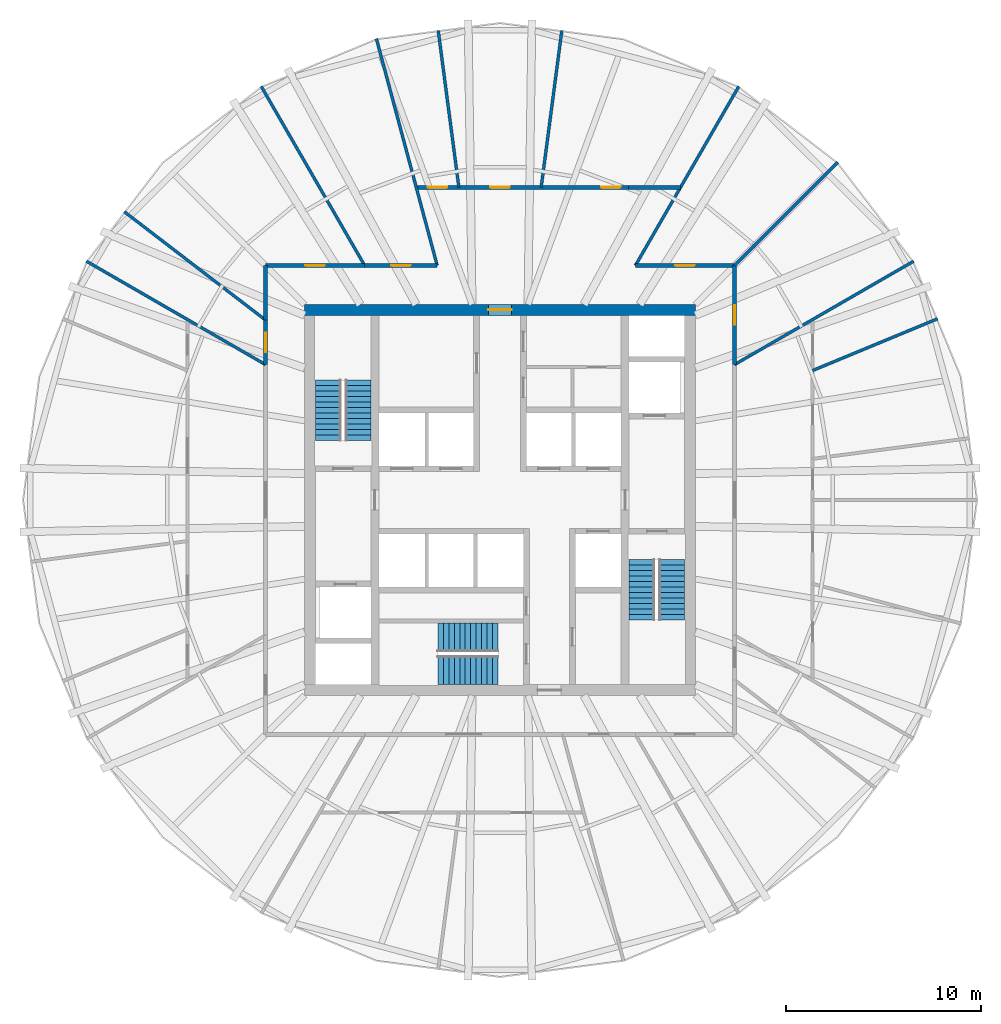
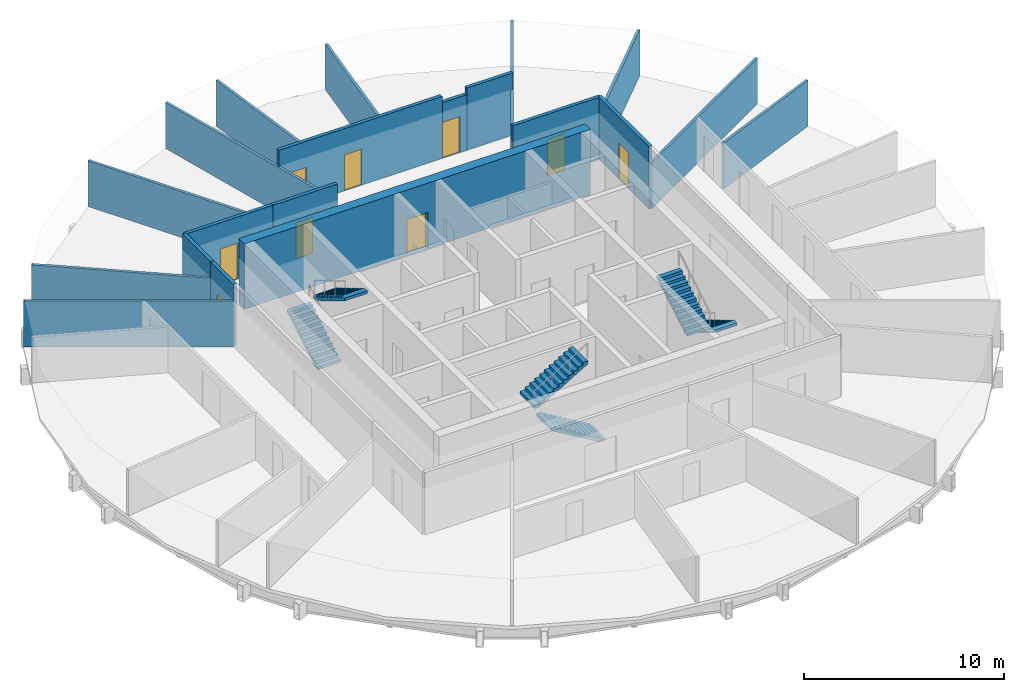
# One storey, part 5 of 6: 20 walls, 9 doors, 6 stair flights, 9 openings, 3 elements without a shape of their own.
"""IFC4 building model written with IfcOpenShell, lengths in metres."""

from ifc_helpers import new_model, si_unit, direction, frame, frame_2d, origin, place, context, subcontext, project, spatial, polyline, rectangle, outline, extrude, material, layer, layer_set, type_object, element, fill, aggregate, save


model = new_model("IFC4")

# Units and contexts
model_context = context("Model", 3, precision=1e-05, world=origin(), true_north=direction((0.0, 1.0)))
body_context = subcontext(model_context, "Body", "Model", "MODEL_VIEW")
ifc_project = project(units=[si_unit("LENGTHUNIT", "METRE"), si_unit("AREAUNIT", "SQUARE_METRE"), si_unit("VOLUMEUNIT", "CUBIC_METRE"), si_unit("PLANEANGLEUNIT", "RADIAN"), si_unit("MASSUNIT", "GRAM", prefix="KILO")], contexts=[model_context])

# Site, building, storey
site_placement = place(None, origin())
site = spatial("IfcSite", under=ifc_project, at=site_placement, CompositionType="ELEMENT")
building_placement = place(site_placement, origin())
building = spatial("IfcBuilding", under=site, at=building_placement, Name="Golbaran Civic Tower", CompositionType="ELEMENT")
storey_placement = place(building_placement, frame((0.0, 0.0, 122.0)))
storey = spatial("IfcBuildingStorey", under=building, at=storey_placement, Name="L29", CompositionType="ELEMENT", Elevation=122.0)

# Wall, opening, door
ifc_material_1 = material(Name="Concrete C50/60", Category="concrete")
ifc_layer_1 = layer(ifc_material_1, 0.550048828125, Name="Concrete C50/60")
ifc_layer_set_1 = layer_set([ifc_layer_1], Name="Concrete C50/60")
wall_type_1 = type_object("IfcWallType", Name="CORE WALL CONCRETE 550", PredefinedType="SOLIDWALL", material=ifc_layer_set_1)
wall_1_placement = place(storey_placement, frame((-10.0, 9.72509765625, 0.0), z_axis=(0.0, 0.0, 1.0), x_axis=(1.0, 0.0, 0.0)))
wall_1 = element("IfcWall", 1, at=wall_1_placement, inside=storey, type_object=wall_type_1, Name="Core wall CN L29", PredefinedType="SOLIDWALL", context=body_context, shape_type="SweptSolid", body=[
    extrude(rectangle(XDim=20.0, YDim=0.550048828125, at=frame_2d((10.0, 0.0))), origin(), (0.0, 0.0, 1.0), 4.0),
])
opening_1_placement = place(wall_1_placement, frame((9.39990234375, 0.0, 0.0)))
opening_1 = element("IfcOpeningElement", 2, at=opening_1_placement, cuts=wall_1, Name="Opening L29.CN", PredefinedType="OPENING", context=body_context, shape_type="SweptSolid", body=[
    extrude(rectangle(XDim=1.199951171875, YDim=2.199951171875, at=frame_2d((0.60009765625, 1.10009765625))), frame((0.0, 0.284912109375, 0.0), z_axis=(0.0, -1.0, 0.0), x_axis=(1.0, 0.0, 0.0)), (0.0, 0.0, 1.0), 0.570068359375),
])
ifc_material_2 = material(Name="Timber door set in steel frame", Category="steel")
door_type_1 = type_object("IfcDoorType", Name="CORE DOOR 1200x2200", OperationType="DOUBLE_DOOR_SINGLE_SWING", PredefinedType="DOOR", material=ifc_material_2)
door_1_placement = place(opening_1_placement, origin())
door_1 = element("IfcDoor", 3, at=door_1_placement, inside=storey, type_object=door_type_1, Name="Core door north", OperationType="DOUBLE_DOOR_SINGLE_SWING", OverallHeight=2.199951171875, OverallWidth=1.199951171875, PredefinedType="DOOR", context=body_context, shape_type="SweptSolid", body=[
    extrude(rectangle(XDim=1.199951171875, YDim=2.199951171875, at=frame_2d((0.60009765625, 1.10009765625))), frame((0.0, 0.02490234375, 0.0), z_axis=(0.0, -1.0, 0.0), x_axis=(1.0, 0.0, 0.0)), (0.0, 0.0, 1.0), 0.050048828125),
])
fill(opening_1, door_1)

ifc_material_3 = material(Name="Gypsum board on steel studs, fire-rated", Category="steel")
ifc_layer_2 = layer(ifc_material_3, 0.199951171875, Name="Gypsum board on steel studs, fire-rated")
ifc_layer_set_2 = layer_set([ifc_layer_2], Name="Gypsum board on steel studs, fire-rated")
wall_type_2 = type_object("IfcWallType", Name="CORRIDOR WALL 200", PredefinedType="PARTITIONING", material=ifc_layer_set_2)
wall_2_placement = place(storey_placement, frame((12.0, 6.92822265625, 0.0), z_axis=(0.0, 0.0, 1.0), x_axis=(0.0, 1.0, 0.0)))
wall_2 = element("IfcWall", 4, at=wall_2_placement, inside=storey, type_object=wall_type_2, Name="Corridor wall L29", PredefinedType="PARTITIONING", context=body_context, shape_type="SweptSolid", body=[
    extrude(rectangle(XDim=5.07177734375, YDim=0.199951171875, at=frame_2d((2.535888671875, 0.0))), origin(), (0.0, 0.0, 1.0), 3.800048828125),
])
opening_2_placement = place(wall_2_placement, frame((2.035888671875, 0.0, 0.0)))
opening_2 = element("IfcOpeningElement", 5, at=opening_2_placement, cuts=wall_2, Name="Opening L29.16", PredefinedType="OPENING", context=body_context, shape_type="SweptSolid", body=[
    extrude(rectangle(XDim=1.0, YDim=2.199951171875, at=frame_2d((0.5, 1.10009765625))), frame((0.0, 0.10986328125, 0.0), z_axis=(0.0, -1.0, 0.0), x_axis=(1.0, 0.0, 0.0)), (0.0, 0.0, 1.0), 0.219970703125),
])
door_type_2 = type_object("IfcDoorType", Name="OFFICE DOOR 1000x2200", OperationType="SINGLE_SWING_LEFT", PredefinedType="DOOR", material=ifc_material_2)
door_2_placement = place(opening_2_placement, origin())
door_2 = element("IfcDoor", 6, at=door_2_placement, inside=storey, type_object=door_type_2, Name="Prayer Room door L29", OperationType="SINGLE_SWING_LEFT", OverallHeight=2.199951171875, OverallWidth=1.0, PredefinedType="DOOR", context=body_context, shape_type="SweptSolid", body=[
    extrude(rectangle(XDim=1.0, YDim=2.199951171875, at=frame_2d((0.5, 1.10009765625))), frame((0.0, 0.02490234375, 0.0), z_axis=(0.0, -1.0, 0.0), x_axis=(1.0, 0.0, 0.0)), (0.0, 0.0, 1.0), 0.050048828125),
])
fill(opening_2, door_2)

wall_3_placement = place(storey_placement, frame((12.0, 12.0, 0.0), z_axis=(0.0, 0.0, 1.0), x_axis=(-1.0, 0.0, 0.0)))
wall_3 = element("IfcWall", 7, at=wall_3_placement, inside=storey, type_object=wall_type_2, Name="Corridor wall L29", PredefinedType="PARTITIONING", context=body_context, shape_type="SweptSolid", body=[
    extrude(rectangle(XDim=5.07177734375, YDim=0.199951171875, at=frame_2d((2.535888671875, 0.0))), origin(), (0.0, 0.0, 1.0), 3.800048828125),
])
opening_3_placement = place(wall_3_placement, frame((2.035888671875, 0.0, 0.0)))
opening_3 = element("IfcOpeningElement", 8, at=opening_3_placement, cuts=wall_3, Name="Opening L29.17", PredefinedType="OPENING", context=body_context, shape_type="SweptSolid", body=[
    extrude(rectangle(XDim=1.0, YDim=2.199951171875, at=frame_2d((0.5, 1.10009765625))), frame((0.0, 0.10986328125, 0.0), z_axis=(0.0, -1.0, 0.0), x_axis=(1.0, 0.0, 0.0)), (0.0, 0.0, 1.0), 0.219970703125),
])
door_3_placement = place(opening_3_placement, origin())
door_3 = element("IfcDoor", 9, at=door_3_placement, inside=storey, type_object=door_type_2, Name="Pantry door L29", OperationType="SINGLE_SWING_RIGHT", OverallHeight=2.199951171875, OverallWidth=1.0, PredefinedType="DOOR", context=body_context, shape_type="SweptSolid", body=[
    extrude(rectangle(XDim=1.0, YDim=2.199951171875, at=frame_2d((0.5, 1.10009765625))), frame((0.0, 0.02490234375, 0.0), z_axis=(0.0, -1.0, 0.0), x_axis=(1.0, 0.0, 0.0)), (0.0, 0.0, 1.0), 0.050048828125),
])
fill(opening_3, door_3)

wall_4_placement = place(storey_placement, frame((-3.21533203125, 12.0, 0.0), z_axis=(0.0, 0.0, 1.0), x_axis=(-1.0, 0.0, 0.0)))
wall_4 = element("IfcWall", 10, at=wall_4_placement, inside=storey, type_object=wall_type_2, Name="Corridor wall L29", PredefinedType="PARTITIONING", context=body_context, shape_type="SweptSolid", body=[
    extrude(rectangle(XDim=3.712890625, YDim=0.199951171875, at=frame_2d((1.8564453125, 0.0))), origin(), (0.0, 0.0, 1.0), 3.800048828125),
])
opening_4_placement = place(wall_4_placement, frame((1.3564453125, 0.0, 0.0)))
opening_4 = element("IfcOpeningElement", 11, at=opening_4_placement, cuts=wall_4, Name="Opening L29.18", PredefinedType="OPENING", context=body_context, shape_type="SweptSolid", body=[
    extrude(rectangle(XDim=1.0, YDim=2.199951171875, at=frame_2d((0.5, 1.10009765625))), frame((0.0, 0.10986328125, 0.0), z_axis=(0.0, -1.0, 0.0), x_axis=(1.0, 0.0, 0.0)), (0.0, 0.0, 1.0), 0.219970703125),
])
door_4_placement = place(opening_4_placement, origin())
door_4 = element("IfcDoor", 12, at=door_4_placement, inside=storey, type_object=door_type_2, Name="Meeting Room door L29", OperationType="SINGLE_SWING_RIGHT", OverallHeight=2.199951171875, OverallWidth=1.0, PredefinedType="DOOR", context=body_context, shape_type="SweptSolid", body=[
    extrude(rectangle(XDim=1.0, YDim=2.199951171875, at=frame_2d((0.5, 1.10009765625))), frame((0.0, 0.02490234375, 0.0), z_axis=(0.0, -1.0, 0.0), x_axis=(1.0, 0.0, 0.0)), (0.0, 0.0, 1.0), 0.050048828125),
])
fill(opening_4, door_4)

wall_5_placement = place(storey_placement, frame((-6.92822265625, 12.0, 0.0), z_axis=(0.0, 0.0, 1.0), x_axis=(-1.0, 0.0, 0.0)))
wall_5 = element("IfcWall", 13, at=wall_5_placement, inside=storey, type_object=wall_type_2, Name="Corridor wall L29", PredefinedType="PARTITIONING", context=body_context, shape_type="SweptSolid", body=[
    extrude(rectangle(XDim=5.07177734375, YDim=0.199951171875, at=frame_2d((2.535888671875, 0.0))), origin(), (0.0, 0.0, 1.0), 3.800048828125),
])
opening_5_placement = place(wall_5_placement, frame((2.035888671875, 0.0, 0.0)))
opening_5 = element("IfcOpeningElement", 14, at=opening_5_placement, cuts=wall_5, Name="Opening L29.19", PredefinedType="OPENING", context=body_context, shape_type="SweptSolid", body=[
    extrude(rectangle(XDim=1.0, YDim=2.199951171875, at=frame_2d((0.5, 1.10009765625))), frame((0.0, 0.10986328125, 0.0), z_axis=(0.0, -1.0, 0.0), x_axis=(1.0, 0.0, 0.0)), (0.0, 0.0, 1.0), 0.219970703125),
])
door_5_placement = place(opening_5_placement, origin())
door_5 = element("IfcDoor", 15, at=door_5_placement, inside=storey, type_object=door_type_2, Name="Meeting Room door L29", OperationType="SINGLE_SWING_RIGHT", OverallHeight=2.199951171875, OverallWidth=1.0, PredefinedType="DOOR", context=body_context, shape_type="SweptSolid", body=[
    extrude(rectangle(XDim=1.0, YDim=2.199951171875, at=frame_2d((0.5, 1.10009765625))), frame((0.0, 0.02490234375, 0.0), z_axis=(0.0, -1.0, 0.0), x_axis=(1.0, 0.0, 0.0)), (0.0, 0.0, 1.0), 0.050048828125),
])
fill(opening_5, door_5)

# Wall
wall_6_placement = place(storey_placement, frame((-12.0, 12.0, 0.0), z_axis=(0.0, 0.0, 1.0), x_axis=(0.0, -1.0, 0.0)))
element("IfcWall", 16, at=wall_6_placement, inside=storey, type_object=wall_type_2, Name="Corridor wall L29", PredefinedType="PARTITIONING", context=body_context, shape_type="SweptSolid", body=[
    extrude(rectangle(XDim=2.7919921875, YDim=0.199951171875, at=frame_2d((1.39599609375, 0.0))), origin(), (0.0, 0.0, 1.0), 3.800048828125),
])

# Wall, opening, door
wall_7_placement = place(storey_placement, frame((-12.0, 9.2080078125, 0.0), z_axis=(0.0, 0.0, 1.0), x_axis=(0.0, -1.0, 0.0)))
wall_7 = element("IfcWall", 17, at=wall_7_placement, inside=storey, type_object=wall_type_2, Name="Corridor wall L29", PredefinedType="PARTITIONING", context=body_context, shape_type="SweptSolid", body=[
    extrude(rectangle(XDim=2.27978515625, YDim=0.199951171875, at=frame_2d((1.139892578125, 0.0))), origin(), (0.0, 0.0, 1.0), 3.800048828125),
])
opening_6_placement = place(wall_7_placement, frame((0.639892578125, 0.0, 0.0)))
opening_6 = element("IfcOpeningElement", 18, at=opening_6_placement, cuts=wall_7, Name="Opening L29.20", PredefinedType="OPENING", context=body_context, shape_type="SweptSolid", body=[
    extrude(rectangle(XDim=1.0, YDim=2.199951171875, at=frame_2d((0.5, 1.10009765625))), frame((0.0, 0.10986328125, 0.0), z_axis=(0.0, -1.0, 0.0), x_axis=(1.0, 0.0, 0.0)), (0.0, 0.0, 1.0), 0.219970703125),
])
door_6_placement = place(opening_6_placement, origin())
door_6 = element("IfcDoor", 19, at=door_6_placement, inside=storey, type_object=door_type_2, Name="Print and Copy Room door L29", OperationType="SINGLE_SWING_RIGHT", OverallHeight=2.199951171875, OverallWidth=1.0, PredefinedType="DOOR", context=body_context, shape_type="SweptSolid", body=[
    extrude(rectangle(XDim=1.0, YDim=2.199951171875, at=frame_2d((0.5, 1.10009765625))), frame((0.0, 0.02490234375, 0.0), z_axis=(0.0, -1.0, 0.0), x_axis=(1.0, 0.0, 0.0)), (0.0, 0.0, 1.0), 0.050048828125),
])
fill(opening_6, door_6)

# Wall
ifc_material_4 = material(Name="Gypsum board on steel studs, fire-rated, glazed panels", Category="steel")
ifc_layer_3 = layer(ifc_material_4, 0.199951171875, Name="Gypsum board on steel studs, fire-rated, glazed panels")
ifc_layer_set_3 = layer_set([ifc_layer_3], Name="Gypsum board on steel studs, fire-rated, glazed panels")
wall_type_3 = type_object("IfcWallType", Name="GALLERY WALL 200", PredefinedType="PARTITIONING", material=ifc_layer_set_3)
wall_8_placement = place(storey_placement, frame((9.237548828125, 16.0, 0.0), z_axis=(0.0, 0.0, 1.0), x_axis=(-1.0, 0.0, 0.0)))
element("IfcWall", 20, at=wall_8_placement, inside=storey, type_object=wall_type_3, Name="Gallery wall L29", PredefinedType="PARTITIONING", context=body_context, shape_type="SweptSolid", body=[
    extrude(rectangle(XDim=2.659912109375, YDim=0.199951171875, at=frame_2d((1.330078125, 0.0))), origin(), (0.0, 0.0, 1.0), 3.800048828125),
])

# Wall, opening, door
wall_9_placement = place(storey_placement, frame((6.57763671875, 16.0, 0.0), z_axis=(0.0, 0.0, 1.0), x_axis=(-1.0, 0.0, 0.0)))
wall_9 = element("IfcWall", 21, at=wall_9_placement, inside=storey, type_object=wall_type_3, Name="Gallery wall L29 (part 2)", PredefinedType="PARTITIONING", context=body_context, shape_type="SweptSolid", body=[
    extrude(rectangle(XDim=1.425537109375, YDim=0.199951171875, at=frame_2d((0.712890625, 0.0))), origin(), (0.0, 0.0, 1.0), 3.39990234375),
])
opening_7_placement = place(wall_9_placement, frame((0.40576171875, 0.0, 0.0)))
opening_7 = element("IfcOpeningElement", 22, at=opening_7_placement, cuts=wall_9, Name="Opening L29.06", PredefinedType="OPENING", context=body_context, shape_type="SweptSolid", body=[
    extrude(rectangle(XDim=1.0, YDim=2.199951171875, at=frame_2d((0.5, 1.10009765625))), frame((0.0, 0.10986328125, 0.0), z_axis=(0.0, -1.0, 0.0), x_axis=(1.0, 0.0, 0.0)), (0.0, 0.0, 1.0), 0.219970703125),
])
door_7_placement = place(opening_7_placement, origin())
door_7 = element("IfcDoor", 23, at=door_7_placement, inside=storey, type_object=door_type_2, Name="Office door L29", OperationType="SINGLE_SWING_LEFT", OverallHeight=2.199951171875, OverallWidth=1.0, PredefinedType="DOOR", context=body_context, shape_type="SweptSolid", body=[
    extrude(rectangle(XDim=1.0, YDim=2.199951171875, at=frame_2d((0.5, 1.10009765625))), frame((0.0, 0.02490234375, 0.0), z_axis=(0.0, -1.0, 0.0), x_axis=(1.0, 0.0, 0.0)), (0.0, 0.0, 1.0), 0.050048828125),
])
fill(opening_7, door_7)

# Wall, openings, doors
wall_10_placement = place(storey_placement, frame((5.152099609375, 16.0, 0.0), z_axis=(0.0, 0.0, 1.0), x_axis=(-1.0, 0.0, 0.0)))
wall_10 = element("IfcWall", 24, at=wall_10_placement, inside=storey, type_object=wall_type_3, Name="Gallery wall L29 (part 3)", PredefinedType="PARTITIONING", context=body_context, shape_type="SweptSolid", body=[
    extrude(rectangle(XDim=9.439208984375, YDim=0.199951171875, at=frame_2d((4.7197265625, 0.0))), origin(), (0.0, 0.0, 1.0), 3.800048828125),
])
opening_8_placement = place(wall_10_placement, frame((4.652099609375, 0.0, 0.0)))
opening_8 = element("IfcOpeningElement", 25, at=opening_8_placement, cuts=wall_10, Name="Opening L29.07", PredefinedType="OPENING", context=body_context, shape_type="SweptSolid", body=[
    extrude(rectangle(XDim=1.0, YDim=2.199951171875, at=frame_2d((0.5, 1.10009765625))), frame((0.0, 0.10986328125, 0.0), z_axis=(0.0, -1.0, 0.0), x_axis=(1.0, 0.0, 0.0)), (0.0, 0.0, 1.0), 0.219970703125),
])
opening_9_placement = place(wall_10_placement, frame((7.848876953125, 0.0, 0.0)))
opening_9 = element("IfcOpeningElement", 26, at=opening_9_placement, cuts=wall_10, Name="Opening L29.08", PredefinedType="OPENING", context=body_context, shape_type="SweptSolid", body=[
    extrude(rectangle(XDim=1.0, YDim=2.199951171875, at=frame_2d((0.5, 1.10009765625))), frame((0.0, 0.10986328125, 0.0), z_axis=(0.0, -1.0, 0.0), x_axis=(1.0, 0.0, 0.0)), (0.0, 0.0, 1.0), 0.219970703125),
])
door_8_placement = place(opening_8_placement, origin())
door_8 = element("IfcDoor", 27, at=door_8_placement, inside=storey, type_object=door_type_2, Name="Office door L29", OperationType="SINGLE_SWING_RIGHT", OverallHeight=2.199951171875, OverallWidth=1.0, PredefinedType="DOOR", context=body_context, shape_type="SweptSolid", body=[
    extrude(rectangle(XDim=1.0, YDim=2.199951171875, at=frame_2d((0.5, 1.10009765625))), frame((0.0, 0.02490234375, 0.0), z_axis=(0.0, -1.0, 0.0), x_axis=(1.0, 0.0, 0.0)), (0.0, 0.0, 1.0), 0.050048828125),
])
fill(opening_8, door_8)
door_9_placement = place(opening_9_placement, origin())
door_9 = element("IfcDoor", 28, at=door_9_placement, inside=storey, type_object=door_type_2, Name="Director's Office door L29", OperationType="SINGLE_SWING_RIGHT", OverallHeight=2.199951171875, OverallWidth=1.0, PredefinedType="DOOR", context=body_context, shape_type="SweptSolid", body=[
    extrude(rectangle(XDim=1.0, YDim=2.199951171875, at=frame_2d((0.5, 1.10009765625))), frame((0.0, 0.02490234375, 0.0), z_axis=(0.0, -1.0, 0.0), x_axis=(1.0, 0.0, 0.0)), (0.0, 0.0, 1.0), 0.050048828125),
])
fill(opening_9, door_9)

# Walls
ifc_material_5 = material(Name="Gypsum board on steel studs", Category="steel")
ifc_layer_4 = layer(ifc_material_5, 0.14990234375, Name="Gypsum board on steel studs")
ifc_layer_set_4 = layer_set([ifc_layer_4], Name="Gypsum board on steel studs")
wall_type_4 = type_object("IfcWallType", Name="OFFICE PARTITION 150", PredefinedType="PARTITIONING", material=ifc_layer_set_4)
wall_11_placement = place(storey_placement, frame((12.0, 6.92822265625, 0.0), z_axis=(0.0, 0.0, 1.0), x_axis=(0.866023526577, 0.500003251404, 0.0)))
element("IfcWall", 29, at=wall_11_placement, inside=storey, type_object=wall_type_4, Name="Partition 30 L29", PredefinedType="PARTITIONING", context=body_context, shape_type="SweptSolid", body=[
    extrude(rectangle(XDim=10.5869140625, YDim=0.14990234375, at=frame_2d((5.29345703125, 0.0))), origin(), (0.0, 0.0, 1.0), 2.7900390625),
])
wall_12_placement = place(storey_placement, frame((12.0, 12.0, 0.0), z_axis=(0.0, 0.0, 1.0), x_axis=(0.707106781187, 0.707106781187, 0.0)))
element("IfcWall", 30, at=wall_12_placement, inside=storey, type_object=wall_type_4, Name="Partition 45 L29", PredefinedType="PARTITIONING", context=body_context, shape_type="SweptSolid", body=[
    extrude(rectangle(XDim=7.47265625, YDim=0.14990234375, at=frame_2d((3.736328125, 0.0))), origin(), (0.0, 0.0, 1.0), 2.7900390625),
])
wall_13_placement = place(storey_placement, frame((6.92822265625, 12.0, 0.0), z_axis=(0.0, 0.0, 1.0), x_axis=(0.500003251404, 0.866023526577, 0.0)))
element("IfcWall", 31, at=wall_13_placement, inside=storey, type_object=wall_type_4, Name="Partition 60 L29", PredefinedType="PARTITIONING", context=body_context, shape_type="SweptSolid", body=[
    extrude(rectangle(XDim=10.5869140625, YDim=0.14990234375, at=frame_2d((5.29345703125, 0.0))), origin(), (0.0, 0.0, 1.0), 2.7900390625),
])
wall_14_placement = place(storey_placement, frame((-3.21533203125, 12.0, 0.0), z_axis=(0.0, 0.0, 1.0), x_axis=(-0.258826780857, 0.965923753467, 0.0)))
element("IfcWall", 32, at=wall_14_placement, inside=storey, type_object=wall_type_4, Name="Partition 105 L29", PredefinedType="PARTITIONING", context=body_context, shape_type="SweptSolid", body=[
    extrude(rectangle(XDim=12.02001953125, YDim=0.14990234375, at=frame_2d((6.010009765625, 0.0))), origin(), (0.0, 0.0, 1.0), 2.7900390625),
])
wall_15_placement = place(storey_placement, frame((-6.92822265625, 12.0, 0.0), z_axis=(0.0, 0.0, 1.0), x_axis=(-0.500003251404, 0.866023526577, 0.0)))
element("IfcWall", 33, at=wall_15_placement, inside=storey, type_object=wall_type_4, Name="Partition 120 L29", PredefinedType="PARTITIONING", context=body_context, shape_type="SweptSolid", body=[
    extrude(rectangle(XDim=10.5869140625, YDim=0.14990234375, at=frame_2d((5.29345703125, 0.0))), origin(), (0.0, 0.0, 1.0), 2.7900390625),
])
wall_16_placement = place(storey_placement, frame((-12.0, 9.2080078125, 0.0), z_axis=(0.0, 0.0, 1.0), x_axis=(-0.793367728965, 0.608742676865, 0.0)))
element("IfcWall", 34, at=wall_16_placement, inside=storey, type_object=wall_type_4, Name="Partition 142.5 L29", PredefinedType="PARTITIONING", context=body_context, shape_type="SweptSolid", body=[
    extrude(rectangle(XDim=9.1083984375, YDim=0.14990234375, at=frame_2d((4.55419921875, 0.0))), origin(), (0.0, 0.0, 1.0), 2.7900390625),
])
wall_17_placement = place(storey_placement, frame((-12.0, 6.92822265625, 0.0), z_axis=(0.0, 0.0, 1.0), x_axis=(-0.866023526577, 0.500003251404, 0.0)))
element("IfcWall", 35, at=wall_17_placement, inside=storey, type_object=wall_type_4, Name="Partition 150 L29", PredefinedType="PARTITIONING", context=body_context, shape_type="SweptSolid", body=[
    extrude(rectangle(XDim=10.5869140625, YDim=0.14990234375, at=frame_2d((5.29345703125, 0.0))), origin(), (0.0, 0.0, 1.0), 2.7900390625),
])
wall_18_placement = place(storey_placement, frame((16.0, 6.62744140625, 0.0), z_axis=(0.0, 0.0, 1.0), x_axis=(0.923884314452, 0.382671887534, 0.0)))
element("IfcWall", 36, at=wall_18_placement, inside=storey, type_object=wall_type_4, Name="Partition 22.5 L29", PredefinedType="PARTITIONING", context=body_context, shape_type="SweptSolid", body=[
    extrude(rectangle(XDim=6.915771484375, YDim=0.14990234375, at=frame_2d((3.4580078125, 0.0))), origin(), (0.0, 0.0, 1.0), 2.7900390625),
])
for number, where, z_axis, x_axis, name in (
    (37, (2.1064453125, 16.0, 0.0), (0.0, 0.0, 1.0), (0.130512236494, 0.99144669858, 0.0), "Partition 82.5 L29"),
    (38, (-2.1064453125, 16.0, 0.0), (0.0, 0.0, 1.0), (-0.130512236494, 0.99144669858, 0.0), "Partition 97.5 L29"),
):
    element("IfcWall", number, at=place(storey_placement, frame(where, z_axis=z_axis, x_axis=x_axis)), inside=storey, type_object=wall_type_4, Name=name, PredefinedType="PARTITIONING", context=body_context, shape_type="SweptSolid", body=[
        extrude(rectangle(XDim=8.09619140625, YDim=0.14990234375, at=frame_2d((4.048095703125, 0.0))), origin(), (0.0, 0.0, 1.0), 2.7900390625),
    ])

# Stair, stair flights
ifc_material_6 = material(Name="Concrete C35/45", Category="concrete")
stair_type_1 = type_object("IfcStairType", Name="EXIT STAIR 2850 x 7700, 4000 RISE", PredefinedType="HALF_TURN_STAIR", material=ifc_material_6)
stair_1_placement = place(storey_placement, origin())
stair_1 = element("IfcStair", 39, at=stair_1_placement, inside=storey, type_object=stair_type_1, Name="Stair S1 L29", PredefinedType="HALF_TURN_STAIR")
stair_flight_type_1 = type_object("IfcStairFlightType", Name="STAIR FLIGHT 1325 WIDE", PredefinedType="STRAIGHT", material=ifc_material_6)
stair_flight_1_placement = place(storey_placement, frame((-8.78759765625, 3.050048828125, 0.0), z_axis=(0.0, 0.0, 1.0), x_axis=(0.0, 1.0, 0.0)))
stair_flight_1 = element("IfcStairFlight", 40, at=stair_flight_1_placement, type_object=stair_flight_type_1, Name="ST28577-40 flight 1", NumberOfRisers=12, NumberOfTreads=11, PredefinedType="STRAIGHT", RiserHeight=0.166666667, TreadLength=0.28, context=body_context, shape_type="SweptSolid", body=[
    extrude(outline(polyline([(0.0, 0.0), (0.0, 0.166748046875), (0.280029296875, 0.166748046875), (0.280029296875, 0.333251953125), (0.56005859375, 0.333251953125), (0.56005859375, 0.5), (0.840087890625, 0.5), (0.840087890625, 0.666748046875), (1.1201171875, 0.666748046875), (1.1201171875, 0.833251953125), (1.39990234375, 0.833251953125), (1.39990234375, 1.0), (1.679931640625, 1.0), (1.679931640625, 1.166748046875), (1.9599609375, 1.166748046875), (1.9599609375, 1.333251953125), (2.239990234375, 1.333251953125), (2.239990234375, 1.5), (2.52001953125, 1.5), (2.52001953125, 1.666748046875), (2.800048828125, 1.666748046875), (2.800048828125, 1.833251953125), (3.080078125, 1.833251953125), (3.080078125, 2.0), (3.080078125, 1.658935546875), (0.29296875, 0.0), (0.0, 0.0)])), frame((0.0, 0.66259765625, 0.0), z_axis=(0.0, -1.0, 0.0), x_axis=(1.0, 0.0, 0.0)), (0.0, 0.0, 1.0), 1.324951171875),
])
stair_flight_2_placement = place(storey_placement, frame((-7.262451171875, 6.1298828125, 2.0), z_axis=(0.0, 0.0, 1.0), x_axis=(0.0, -1.0, 0.0)))
stair_flight_2 = element("IfcStairFlight", 41, at=stair_flight_2_placement, type_object=stair_flight_type_1, Name="ST28577-40 flight 2", NumberOfRisers=12, NumberOfTreads=11, PredefinedType="STRAIGHT", RiserHeight=0.166666667, TreadLength=0.28, context=body_context, shape_type="SweptSolid", body=[
    extrude(outline(polyline([(0.0, 0.0), (0.0, 0.166748046875), (0.280029296875, 0.166748046875), (0.280029296875, 0.333251953125), (0.56005859375, 0.333251953125), (0.56005859375, 0.5), (0.840087890625, 0.5), (0.840087890625, 0.666748046875), (1.1201171875, 0.666748046875), (1.1201171875, 0.833251953125), (1.39990234375, 0.833251953125), (1.39990234375, 1.0), (1.679931640625, 1.0), (1.679931640625, 1.166748046875), (1.9599609375, 1.166748046875), (1.9599609375, 1.333251953125), (2.239990234375, 1.333251953125), (2.239990234375, 1.5), (2.52001953125, 1.5), (2.52001953125, 1.666748046875), (2.800048828125, 1.666748046875), (2.800048828125, 1.833251953125), (3.080078125, 1.833251953125), (3.080078125, 2.0), (3.080078125, 1.658935546875), (0.29296875, 0.0), (0.0, 0.0)])), frame((0.0, 0.66259765625, 0.0), z_axis=(0.0, -1.0, 0.0), x_axis=(1.0, 0.0, 0.0)), (0.0, 0.0, 1.0), 1.324951171875),
])
aggregate(stair_1, [stair_flight_1, stair_flight_2])

stair_2_placement = place(storey_placement, origin())
stair_2 = element("IfcStair", 42, at=stair_2_placement, inside=storey, type_object=stair_type_1, Name="Stair S2 L29", PredefinedType="HALF_TURN_STAIR")
stair_flight_3_placement = place(storey_placement, frame((8.78759765625, -3.050048828125, 0.0), z_axis=(0.0, 0.0, 1.0), x_axis=(0.0, -1.0, 0.0)))
stair_flight_3 = element("IfcStairFlight", 43, at=stair_flight_3_placement, type_object=stair_flight_type_1, Name="ST28577-40 flight 1", NumberOfRisers=12, NumberOfTreads=11, PredefinedType="STRAIGHT", RiserHeight=0.166666667, TreadLength=0.28, context=body_context, shape_type="SweptSolid", body=[
    extrude(outline(polyline([(0.0, 0.0), (0.0, 0.166748046875), (0.280029296875, 0.166748046875), (0.280029296875, 0.333251953125), (0.56005859375, 0.333251953125), (0.56005859375, 0.5), (0.840087890625, 0.5), (0.840087890625, 0.666748046875), (1.1201171875, 0.666748046875), (1.1201171875, 0.833251953125), (1.39990234375, 0.833251953125), (1.39990234375, 1.0), (1.679931640625, 1.0), (1.679931640625, 1.166748046875), (1.9599609375, 1.166748046875), (1.9599609375, 1.333251953125), (2.239990234375, 1.333251953125), (2.239990234375, 1.5), (2.52001953125, 1.5), (2.52001953125, 1.666748046875), (2.800048828125, 1.666748046875), (2.800048828125, 1.833251953125), (3.080078125, 1.833251953125), (3.080078125, 2.0), (3.080078125, 1.658935546875), (0.29296875, 0.0), (0.0, 0.0)])), frame((0.0, 0.66259765625, 0.0), z_axis=(0.0, -1.0, 0.0), x_axis=(1.0, 0.0, 0.0)), (0.0, 0.0, 1.0), 1.324951171875),
])
stair_flight_4_placement = place(storey_placement, frame((7.262451171875, -6.1298828125, 2.0), z_axis=(0.0, 0.0, 1.0), x_axis=(0.0, 1.0, 0.0)))
stair_flight_4 = element("IfcStairFlight", 44, at=stair_flight_4_placement, type_object=stair_flight_type_1, Name="ST28577-40 flight 2", NumberOfRisers=12, NumberOfTreads=11, PredefinedType="STRAIGHT", RiserHeight=0.166666667, TreadLength=0.28, context=body_context, shape_type="SweptSolid", body=[
    extrude(outline(polyline([(0.0, 0.0), (0.0, 0.166748046875), (0.280029296875, 0.166748046875), (0.280029296875, 0.333251953125), (0.56005859375, 0.333251953125), (0.56005859375, 0.5), (0.840087890625, 0.5), (0.840087890625, 0.666748046875), (1.1201171875, 0.666748046875), (1.1201171875, 0.833251953125), (1.39990234375, 0.833251953125), (1.39990234375, 1.0), (1.679931640625, 1.0), (1.679931640625, 1.166748046875), (1.9599609375, 1.166748046875), (1.9599609375, 1.333251953125), (2.239990234375, 1.333251953125), (2.239990234375, 1.5), (2.52001953125, 1.5), (2.52001953125, 1.666748046875), (2.800048828125, 1.666748046875), (2.800048828125, 1.833251953125), (3.080078125, 1.833251953125), (3.080078125, 2.0), (3.080078125, 1.658935546875), (0.29296875, 0.0), (0.0, 0.0)])), frame((0.0, 0.66259765625, 0.0), z_axis=(0.0, -1.0, 0.0), x_axis=(1.0, 0.0, 0.0)), (0.0, 0.0, 1.0), 1.324951171875),
])
aggregate(stair_2, [stair_flight_3, stair_flight_4])

stair_type_2 = type_object("IfcStairType", Name="EXIT STAIR 3150 x 7400, 4000 RISE", PredefinedType="HALF_TURN_STAIR", material=ifc_material_6)
stair_3_placement = place(storey_placement, origin())
stair_3 = element("IfcStair", 45, at=stair_3_placement, inside=storey, type_object=stair_type_2, Name="Stair S3 L29", PredefinedType="HALF_TURN_STAIR")
stair_flight_type_2 = type_object("IfcStairFlightType", Name="STAIR FLIGHT 1475 WIDE", PredefinedType="STRAIGHT", material=ifc_material_6)
stair_flight_5_placement = place(storey_placement, frame((-0.10009765625, -8.71240234375, 0.0), z_axis=(0.0, 0.0, 1.0), x_axis=(-1.0, 0.0, 0.0)))
stair_flight_5 = element("IfcStairFlight", 46, at=stair_flight_5_placement, type_object=stair_flight_type_2, Name="ST31574-40 flight 1", NumberOfRisers=12, NumberOfTreads=11, PredefinedType="STRAIGHT", RiserHeight=0.166666667, TreadLength=0.28, context=body_context, shape_type="SweptSolid", body=[
    extrude(outline(polyline([(0.0, 0.0), (0.0, 0.166748046875), (0.280029296875, 0.166748046875), (0.280029296875, 0.333251953125), (0.56005859375, 0.333251953125), (0.56005859375, 0.5), (0.840087890625, 0.5), (0.840087890625, 0.666748046875), (1.1201171875, 0.666748046875), (1.1201171875, 0.833251953125), (1.39990234375, 0.833251953125), (1.39990234375, 1.0), (1.679931640625, 1.0), (1.679931640625, 1.166748046875), (1.9599609375, 1.166748046875), (1.9599609375, 1.333251953125), (2.239990234375, 1.333251953125), (2.239990234375, 1.5), (2.52001953125, 1.5), (2.52001953125, 1.666748046875), (2.800048828125, 1.666748046875), (2.800048828125, 1.833251953125), (3.080078125, 1.833251953125), (3.080078125, 2.0), (3.080078125, 1.658935546875), (0.29296875, 0.0), (0.0, 0.0)])), frame((0.0, 0.737548828125, 0.0), z_axis=(0.0, -1.0, 0.0), x_axis=(1.0, 0.0, 0.0)), (0.0, 0.0, 1.0), 1.47509765625),
])
stair_flight_6_placement = place(storey_placement, frame((-3.179931640625, -7.03759765625, 2.0), z_axis=(0.0, 0.0, 1.0), x_axis=(1.0, 0.0, 0.0)))
stair_flight_6 = element("IfcStairFlight", 47, at=stair_flight_6_placement, type_object=stair_flight_type_2, Name="ST31574-40 flight 2", NumberOfRisers=12, NumberOfTreads=11, PredefinedType="STRAIGHT", RiserHeight=0.166666667, TreadLength=0.28, context=body_context, shape_type="SweptSolid", body=[
    extrude(outline(polyline([(0.0, 0.0), (0.0, 0.166748046875), (0.280029296875, 0.166748046875), (0.280029296875, 0.333251953125), (0.56005859375, 0.333251953125), (0.56005859375, 0.5), (0.840087890625, 0.5), (0.840087890625, 0.666748046875), (1.1201171875, 0.666748046875), (1.1201171875, 0.833251953125), (1.39990234375, 0.833251953125), (1.39990234375, 1.0), (1.679931640625, 1.0), (1.679931640625, 1.166748046875), (1.9599609375, 1.166748046875), (1.9599609375, 1.333251953125), (2.239990234375, 1.333251953125), (2.239990234375, 1.5), (2.52001953125, 1.5), (2.52001953125, 1.666748046875), (2.800048828125, 1.666748046875), (2.800048828125, 1.833251953125), (3.080078125, 1.833251953125), (3.080078125, 2.0), (3.080078125, 1.658935546875), (0.29296875, 0.0), (0.0, 0.0)])), frame((0.0, 0.737548828125, 0.0), z_axis=(0.0, -1.0, 0.0), x_axis=(1.0, 0.0, 0.0)), (0.0, 0.0, 1.0), 1.47509765625),
])
aggregate(stair_3, [stair_flight_5, stair_flight_6])

save(model, "model.ifc")
